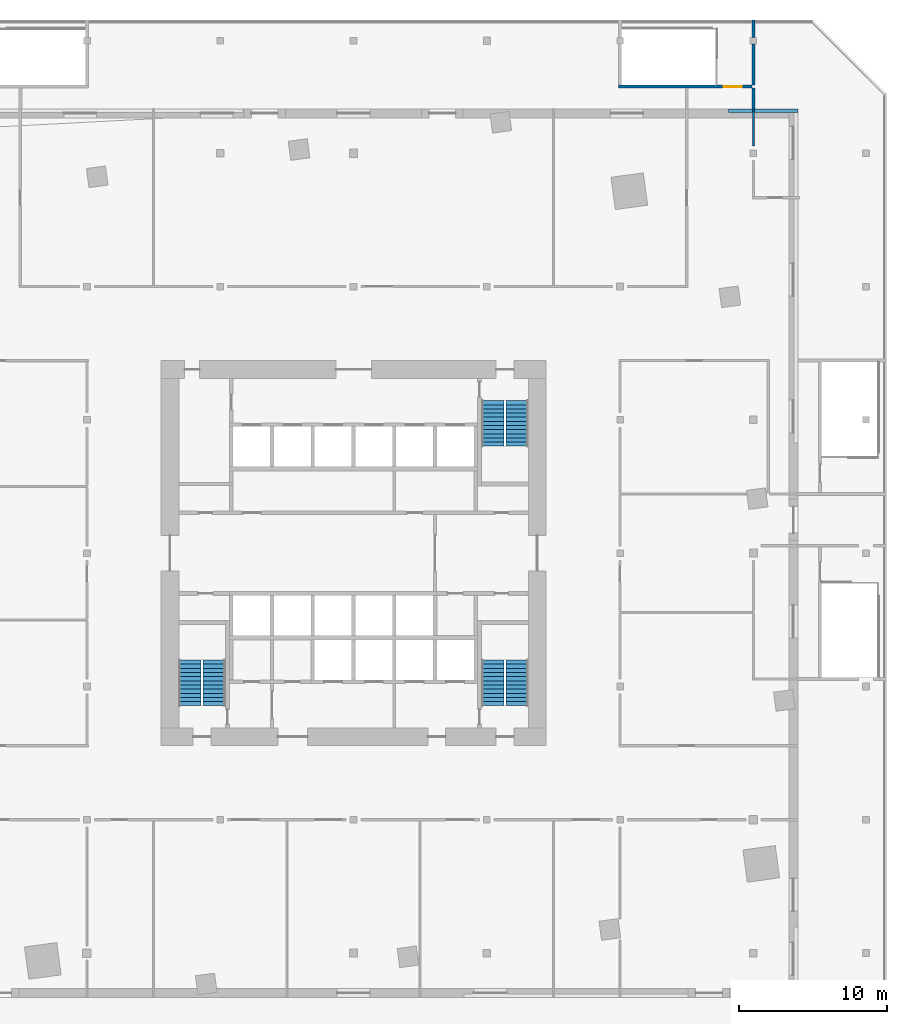
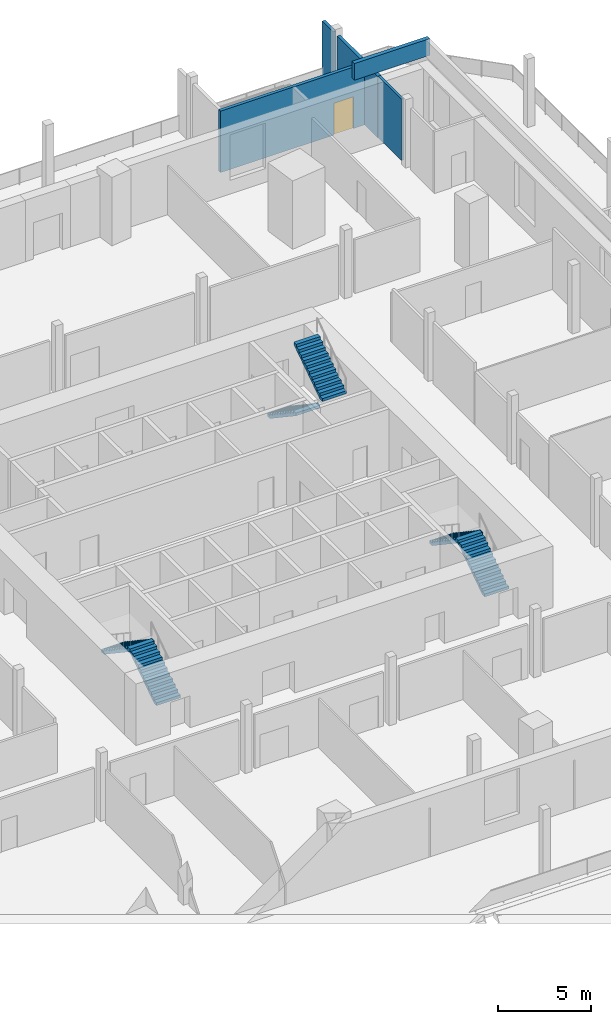
# One storey, part 8 of 12: 6 stair flights, 6 walls, 1 door, 1 opening, 3 elements without a shape of their own.
"""IFC4 building model written with IfcOpenShell, lengths in metres."""

from ifc_helpers import new_model, si_unit, direction, frame, frame_2d, origin, place, context, subcontext, project, spatial, polyline, rectangle, outline, extrude, material, layer, layer_set, type_object, element, fill, aggregate, save


model = new_model("IFC4")

# Units and contexts
model_context = context("Model", 3, precision=1e-05, world=origin(), true_north=direction((0.0, 1.0)))
body_context = subcontext(model_context, "Body", "Model", "MODEL_VIEW")
ifc_project = project(units=[si_unit("LENGTHUNIT", "METRE"), si_unit("AREAUNIT", "SQUARE_METRE"), si_unit("VOLUMEUNIT", "CUBIC_METRE"), si_unit("PLANEANGLEUNIT", "RADIAN"), si_unit("MASSUNIT", "GRAM", prefix="KILO")], contexts=[model_context])

# Site, building, storey
site_placement = place(None, origin())
site = spatial("IfcSite", under=ifc_project, at=site_placement, CompositionType="ELEMENT")
building_placement = place(site_placement, origin())
building = spatial("IfcBuilding", under=site, at=building_placement, Name="Dilmun Exchange Tower", CompositionType="ELEMENT")
storey_placement = place(building_placement, frame((0.0, 0.0, 18.0)))
storey = spatial("IfcBuildingStorey", under=building, at=storey_placement, Name="L04", CompositionType="ELEMENT", Elevation=18.0)

# Wall
ifc_material_1 = material(Name="Fire partition EI 60 150 gypsum")
ifc_layer_1 = layer(ifc_material_1, 0.14990234375)
ifc_layer_set_1 = layer_set([ifc_layer_1], Name="Fire partition EI 60 150 gypsum")
wall_type_1 = type_object("IfcWallType", Name="Fire partition EI 60 150 gypsum", PredefinedType="PARTITIONING", material=ifc_layer_set_1)
wall_1_placement = place(storey_placement, frame((27.0, 27.5, 0.0), z_axis=(0.0, 0.0, 1.0), x_axis=(0.0, 1.0, 0.0)))
element("IfcWall", 1, at=wall_1_placement, inside=storey, type_object=wall_type_1, Name="L04 partition", PredefinedType="PARTITIONING", context=body_context, shape_type="SweptSolid", body=[
    extrude(rectangle(XDim=2.5, YDim=0.14990234375, at=frame_2d((1.25, 0.0))), origin(), (0.0, 0.0, 1.0), 4.050048828125),
])

# Wall, opening, door
ifc_material_2 = material(Name="Fire wall EI 120 200 blockwork", Category="masonry")
ifc_layer_2 = layer(ifc_material_2, 0.199951171875)
ifc_layer_set_2 = layer_set([ifc_layer_2], Name="Fire wall EI 120 200 blockwork")
wall_type_2 = type_object("IfcWallType", Name="Fire wall EI 120 200 blockwork", PredefinedType="PARTITIONING", material=ifc_layer_set_2)
wall_2_placement = place(storey_placement, frame((17.89990234375, 31.5, 0.0), z_axis=(0.0, 0.0, 1.0), x_axis=(1.0, 0.0, 0.0)))
wall_2 = element("IfcWall", 2, at=wall_2_placement, inside=storey, type_object=wall_type_2, Name="L04 stair wall", PredefinedType="PARTITIONING", context=body_context, shape_type="SweptSolid", body=[
    extrude(rectangle(XDim=9.0, YDim=0.199951171875, at=frame_2d((4.5, 0.0))), origin(), (0.0, 0.0, 1.0), 4.050048828125),
])
opening_placement = place(wall_2_placement, frame((7.10009765625, 0.0, 0.0)))
opening = element("IfcOpeningElement", 3, at=opening_placement, cuts=wall_2, Name="Opening L04-D002", PredefinedType="OPENING", context=body_context, shape_type="SweptSolid", body=[
    extrude(rectangle(XDim=1.199951171875, YDim=2.10009765625, at=frame_2d((0.60009765625, 1.050048828125))), frame((0.0, 0.10986328125, 0.0), z_axis=(0.0, -1.0, 0.0), x_axis=(1.0, 0.0, 0.0)), (0.0, 0.0, 1.0), 0.219970703125),
])
ifc_material_3 = material(Name="Stair door FD90 1200 x 2100")
door_type = type_object("IfcDoorType", Name="Stair door FD90 1200 x 2100", OperationType="SINGLE_SWING_LEFT", PredefinedType="DOOR", material=ifc_material_3)
door_placement = place(opening_placement, origin())
door = element("IfcDoor", 4, at=door_placement, inside=storey, type_object=door_type, Name="L04 door L04-D002", OperationType="SINGLE_SWING_RIGHT", OverallHeight=2.10009765625, OverallWidth=1.199951171875, PredefinedType="DOOR", context=body_context, shape_type="SweptSolid", body=[
    extrude(rectangle(XDim=1.199951171875, YDim=2.10009765625, at=frame_2d((0.60009765625, 1.050048828125))), frame((0.0, 0.02490234375, 0.0), z_axis=(0.0, -1.0, 0.0), x_axis=(1.0, 0.0, 0.0)), (0.0, 0.0, 1.0), 0.050048828125),
])
fill(opening, door)

# Walls
wall_3_placement = place(storey_placement, frame((27.0, 30.0, 0.0), z_axis=(0.0, 0.0, 1.0), x_axis=(0.0, 1.0, 0.0)))
element("IfcWall", 5, at=wall_3_placement, inside=storey, type_object=wall_type_2, Name="L04 stair wall", PredefinedType="PARTITIONING", context=body_context, shape_type="SweptSolid", body=[
    extrude(rectangle(XDim=1.39990234375, YDim=0.199951171875, at=frame_2d((0.699951171875, 0.0))), origin(), (0.0, 0.0, 1.0), 4.050048828125),
])
wall_4_placement = place(storey_placement, frame((27.0, 31.60009765625, 0.0), z_axis=(0.0, 0.0, 1.0), x_axis=(0.0, 1.0, 0.0)))
element("IfcWall", 6, at=wall_4_placement, inside=storey, type_object=wall_type_2, Name="L04 stair wall", PredefinedType="PARTITIONING", context=body_context, shape_type="SweptSolid", body=[
    extrude(rectangle(XDim=2.77490234375, YDim=0.199951171875, at=frame_2d((1.387451171875, 0.0))), origin(), (0.0, 0.0, 1.0), 4.050048828125),
])
wall_5_placement = place(storey_placement, frame((27.0, 34.824951171875, 0.0), z_axis=(0.0, 0.0, 1.0), x_axis=(0.0, 1.0, 0.0)))
element("IfcWall", 7, at=wall_5_placement, inside=storey, type_object=wall_type_2, Name="L04 stair wall", PredefinedType="PARTITIONING", context=body_context, shape_type="SweptSolid", body=[
    extrude(rectangle(XDim=1.175048828125, YDim=0.199951171875, at=frame_2d((0.58740234375, 0.0))), origin(), (0.0, 0.0, 1.0), 4.050048828125),
])
ifc_material_4 = material(Name="Precast concrete C40/50", Category="concrete")
ifc_layer_3 = layer(ifc_material_4, 0.25)
ifc_layer_set_3 = layer_set([ifc_layer_3], Name="Precast concrete C40/50")
wall_type_3 = type_object("IfcWallType", Name="Roof parapet 250", PredefinedType="PARAPET", material=ifc_layer_set_3)
wall_6_placement = place(storey_placement, frame((30.0, 29.875, 4.5), z_axis=(0.0, 0.0, 1.0), x_axis=(-1.0, 0.0, 0.0)))
element("IfcWall", 8, at=wall_6_placement, inside=storey, type_object=wall_type_3, Name="Enclosure roof parapet 6", PredefinedType="PARAPET", context=body_context, shape_type="SweptSolid", body=[
    extrude(rectangle(XDim=4.69384765625, YDim=0.25, at=frame_2d((2.346923828125, 0.0))), origin(), (0.0, 0.0, 1.0), 1.10009765625),
])

# Stair, stair flights
ifc_material_5 = material(Name="Concrete C40/50", Category="concrete")
stair_type = type_object("IfcStairType", Name="Exit stair 1500 half-turn", PredefinedType="HALF_TURN_STAIR", material=ifc_material_5)
stair_1_placement = place(storey_placement, origin())
stair_1 = element("IfcStair", 9, at=stair_1_placement, inside=storey, type_object=stair_type, Name="L04 Protected exit stair ST1", PredefinedType="HALF_TURN_STAIR")
stair_flight_type = type_object("IfcStairFlightType", Name="Exit stair flight 1500", PredefinedType="STRAIGHT", material=ifc_material_5)
stair_flight_1_placement = place(storey_placement, frame((9.39990234375, 10.300048828125, 0.0), z_axis=(0.0, 0.0, 1.0), x_axis=(0.0, -1.0, 0.0)))
stair_flight_1 = element("IfcStairFlight", 10, at=stair_flight_1_placement, type_object=stair_flight_type, Name="ST1 flight 1", NumberOfRisers=12, NumberOfTreads=11, PredefinedType="STRAIGHT", RiserHeight=0.1875, TreadLength=0.28, context=body_context, shape_type="SweptSolid", body=[
    extrude(outline(polyline([(0.0, 0.0), (0.0, 0.1875), (0.280029296875, 0.1875), (0.280029296875, 0.375), (0.56005859375, 0.375), (0.56005859375, 0.5625), (0.840087890625, 0.5625), (0.840087890625, 0.75), (1.1201171875, 0.75), (1.1201171875, 0.9375), (1.39990234375, 0.9375), (1.39990234375, 1.125), (1.679931640625, 1.125), (1.679931640625, 1.3125), (1.9599609375, 1.3125), (1.9599609375, 1.5), (2.239990234375, 1.5), (2.239990234375, 1.6875), (2.52001953125, 1.6875), (2.52001953125, 1.875), (2.800048828125, 1.875), (2.800048828125, 2.0625), (3.080078125, 2.0625), (3.080078125, 2.25), (3.080078125, 1.882080078125), (0.26953125, 0.0), (0.0, 0.0)])), frame((0.0, 0.75, 0.0), z_axis=(0.0, -1.0, 0.0), x_axis=(1.0, 0.0, 0.0)), (0.0, 0.0, 1.0), 1.5),
])
stair_flight_2_placement = place(storey_placement, frame((11.050048828125, 7.219970703125, 2.25), z_axis=(0.0, 0.0, 1.0), x_axis=(0.0, 1.0, 0.0)))
stair_flight_2 = element("IfcStairFlight", 11, at=stair_flight_2_placement, type_object=stair_flight_type, Name="ST1 flight 2", NumberOfRisers=12, NumberOfTreads=11, PredefinedType="STRAIGHT", RiserHeight=0.1875, TreadLength=0.28, context=body_context, shape_type="SweptSolid", body=[
    extrude(outline(polyline([(0.0, 0.0), (0.0, 0.1875), (0.280029296875, 0.1875), (0.280029296875, 0.375), (0.56005859375, 0.375), (0.56005859375, 0.5625), (0.840087890625, 0.5625), (0.840087890625, 0.75), (1.1201171875, 0.75), (1.1201171875, 0.9375), (1.39990234375, 0.9375), (1.39990234375, 1.125), (1.679931640625, 1.125), (1.679931640625, 1.3125), (1.9599609375, 1.3125), (1.9599609375, 1.5), (2.239990234375, 1.5), (2.239990234375, 1.6875), (2.52001953125, 1.6875), (2.52001953125, 1.875), (2.800048828125, 1.875), (2.800048828125, 2.0625), (3.080078125, 2.0625), (3.080078125, 2.25), (3.080078125, 1.882080078125), (0.26953125, 0.0), (0.0, 0.0)])), frame((0.0, 0.75, 0.0), z_axis=(0.0, -1.0, 0.0), x_axis=(1.0, 0.0, 0.0)), (0.0, 0.0, 1.0), 1.5),
])
aggregate(stair_1, [stair_flight_1, stair_flight_2])

stair_2_placement = place(storey_placement, origin())
stair_2 = element("IfcStair", 12, at=stair_2_placement, inside=storey, type_object=stair_type, Name="L04 Protected exit stair ST2", PredefinedType="HALF_TURN_STAIR")
stair_flight_3_placement = place(storey_placement, frame((-9.39990234375, -10.300048828125, 0.0), z_axis=(0.0, 0.0, 1.0), x_axis=(0.0, 1.0, 0.0)))
stair_flight_3 = element("IfcStairFlight", 13, at=stair_flight_3_placement, type_object=stair_flight_type, Name="ST2 flight 1", NumberOfRisers=12, NumberOfTreads=11, PredefinedType="STRAIGHT", RiserHeight=0.1875, TreadLength=0.28, context=body_context, shape_type="SweptSolid", body=[
    extrude(outline(polyline([(0.0, 0.0), (0.0, 0.1875), (0.280029296875, 0.1875), (0.280029296875, 0.375), (0.56005859375, 0.375), (0.56005859375, 0.5625), (0.840087890625, 0.5625), (0.840087890625, 0.75), (1.1201171875, 0.75), (1.1201171875, 0.9375), (1.39990234375, 0.9375), (1.39990234375, 1.125), (1.679931640625, 1.125), (1.679931640625, 1.3125), (1.9599609375, 1.3125), (1.9599609375, 1.5), (2.239990234375, 1.5), (2.239990234375, 1.6875), (2.52001953125, 1.6875), (2.52001953125, 1.875), (2.800048828125, 1.875), (2.800048828125, 2.0625), (3.080078125, 2.0625), (3.080078125, 2.25), (3.080078125, 1.882080078125), (0.26953125, 0.0), (0.0, 0.0)])), frame((0.0, 0.75, 0.0), z_axis=(0.0, -1.0, 0.0), x_axis=(1.0, 0.0, 0.0)), (0.0, 0.0, 1.0), 1.5),
])
stair_flight_4_placement = place(storey_placement, frame((-11.050048828125, -7.219970703125, 2.25), z_axis=(0.0, 0.0, 1.0), x_axis=(0.0, -1.0, 0.0)))
stair_flight_4 = element("IfcStairFlight", 14, at=stair_flight_4_placement, type_object=stair_flight_type, Name="ST2 flight 2", NumberOfRisers=12, NumberOfTreads=11, PredefinedType="STRAIGHT", RiserHeight=0.1875, TreadLength=0.28, context=body_context, shape_type="SweptSolid", body=[
    extrude(outline(polyline([(0.0, 0.0), (0.0, 0.1875), (0.280029296875, 0.1875), (0.280029296875, 0.375), (0.56005859375, 0.375), (0.56005859375, 0.5625), (0.840087890625, 0.5625), (0.840087890625, 0.75), (1.1201171875, 0.75), (1.1201171875, 0.9375), (1.39990234375, 0.9375), (1.39990234375, 1.125), (1.679931640625, 1.125), (1.679931640625, 1.3125), (1.9599609375, 1.3125), (1.9599609375, 1.5), (2.239990234375, 1.5), (2.239990234375, 1.6875), (2.52001953125, 1.6875), (2.52001953125, 1.875), (2.800048828125, 1.875), (2.800048828125, 2.0625), (3.080078125, 2.0625), (3.080078125, 2.25), (3.080078125, 1.882080078125), (0.26953125, 0.0), (0.0, 0.0)])), frame((0.0, 0.75, 0.0), z_axis=(0.0, -1.0, 0.0), x_axis=(1.0, 0.0, 0.0)), (0.0, 0.0, 1.0), 1.5),
])
aggregate(stair_2, [stair_flight_3, stair_flight_4])

stair_3_placement = place(storey_placement, origin())
stair_3 = element("IfcStair", 15, at=stair_3_placement, inside=storey, type_object=stair_type, Name="L04 Protected exit stair ST3", PredefinedType="HALF_TURN_STAIR")
stair_flight_5_placement = place(storey_placement, frame((11.050048828125, -10.300048828125, 0.0), z_axis=(0.0, 0.0, 1.0), x_axis=(0.0, 1.0, 0.0)))
stair_flight_5 = element("IfcStairFlight", 16, at=stair_flight_5_placement, type_object=stair_flight_type, Name="ST3 flight 1", NumberOfRisers=12, NumberOfTreads=11, PredefinedType="STRAIGHT", RiserHeight=0.1875, TreadLength=0.28, context=body_context, shape_type="SweptSolid", body=[
    extrude(outline(polyline([(0.0, 0.0), (0.0, 0.1875), (0.280029296875, 0.1875), (0.280029296875, 0.375), (0.56005859375, 0.375), (0.56005859375, 0.5625), (0.840087890625, 0.5625), (0.840087890625, 0.75), (1.1201171875, 0.75), (1.1201171875, 0.9375), (1.39990234375, 0.9375), (1.39990234375, 1.125), (1.679931640625, 1.125), (1.679931640625, 1.3125), (1.9599609375, 1.3125), (1.9599609375, 1.5), (2.239990234375, 1.5), (2.239990234375, 1.6875), (2.52001953125, 1.6875), (2.52001953125, 1.875), (2.800048828125, 1.875), (2.800048828125, 2.0625), (3.080078125, 2.0625), (3.080078125, 2.25), (3.080078125, 1.882080078125), (0.26953125, 0.0), (0.0, 0.0)])), frame((0.0, 0.75, 0.0), z_axis=(0.0, -1.0, 0.0), x_axis=(1.0, 0.0, 0.0)), (0.0, 0.0, 1.0), 1.5),
])
stair_flight_6_placement = place(storey_placement, frame((9.39990234375, -7.219970703125, 2.25), z_axis=(0.0, 0.0, 1.0), x_axis=(0.0, -1.0, 0.0)))
stair_flight_6 = element("IfcStairFlight", 17, at=stair_flight_6_placement, type_object=stair_flight_type, Name="ST3 flight 2", NumberOfRisers=12, NumberOfTreads=11, PredefinedType="STRAIGHT", RiserHeight=0.1875, TreadLength=0.28, context=body_context, shape_type="SweptSolid", body=[
    extrude(outline(polyline([(0.0, 0.0), (0.0, 0.1875), (0.280029296875, 0.1875), (0.280029296875, 0.375), (0.56005859375, 0.375), (0.56005859375, 0.5625), (0.840087890625, 0.5625), (0.840087890625, 0.75), (1.1201171875, 0.75), (1.1201171875, 0.9375), (1.39990234375, 0.9375), (1.39990234375, 1.125), (1.679931640625, 1.125), (1.679931640625, 1.3125), (1.9599609375, 1.3125), (1.9599609375, 1.5), (2.239990234375, 1.5), (2.239990234375, 1.6875), (2.52001953125, 1.6875), (2.52001953125, 1.875), (2.800048828125, 1.875), (2.800048828125, 2.0625), (3.080078125, 2.0625), (3.080078125, 2.25), (3.080078125, 1.882080078125), (0.26953125, 0.0), (0.0, 0.0)])), frame((0.0, 0.75, 0.0), z_axis=(0.0, -1.0, 0.0), x_axis=(1.0, 0.0, 0.0)), (0.0, 0.0, 1.0), 1.5),
])
aggregate(stair_3, [stair_flight_5, stair_flight_6])

save(model, "model.ifc")
